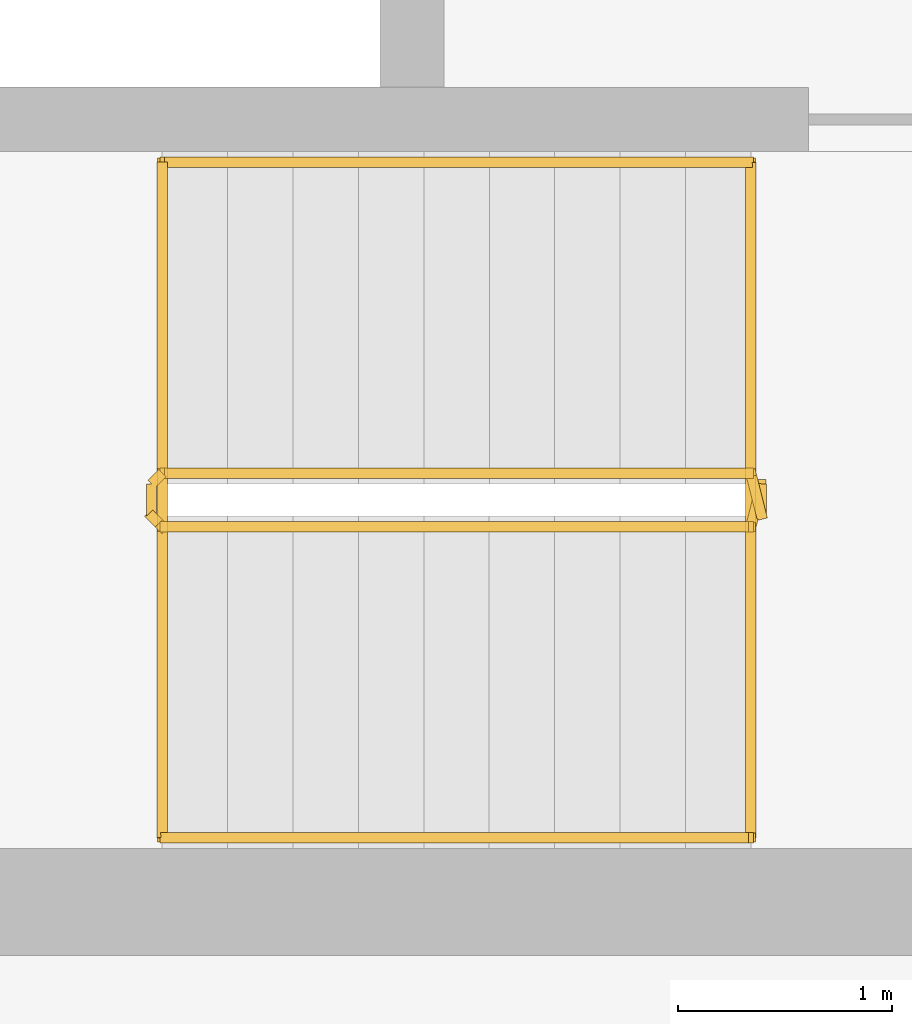
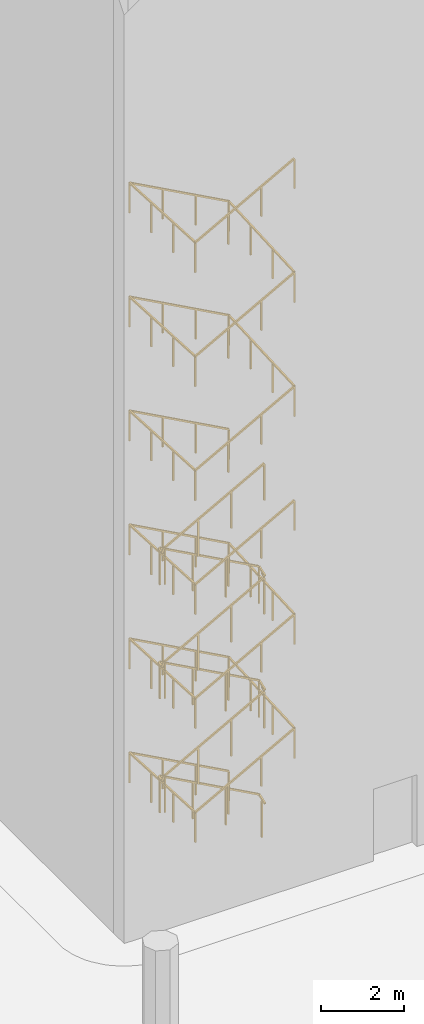
# One storey, part 18 of 26: 3 railings.
"""IFC4 building model written with IfcOpenShell, lengths in metres."""

from ifc_helpers import new_model, si_unit, direction, frame, origin, origin_2d, place, context, subcontext, project, spatial, rectangle, extrude, material, type_object, element, save


model = new_model("IFC4")

# Units and contexts
model_context = context("Model", 3, precision=1e-05, world=origin(), true_north=direction((0.0, 1.0)))
body_context = subcontext(model_context, "Body", "Model", "MODEL_VIEW")
ifc_project = project(units=[si_unit("LENGTHUNIT", "METRE"), si_unit("AREAUNIT", "SQUARE_METRE"), si_unit("VOLUMEUNIT", "CUBIC_METRE"), si_unit("PLANEANGLEUNIT", "RADIAN"), si_unit("MASSUNIT", "GRAM", prefix="KILO")], contexts=[model_context])

# Site, building, storey
site_placement = place(None, origin())
site = spatial("IfcSite", under=ifc_project, at=site_placement, CompositionType="ELEMENT")
building_placement = place(site_placement, origin())
building = spatial("IfcBuilding", under=site, at=building_placement, Name="Noorbagh Ring Tower", CompositionType="ELEMENT")
storey_placement = place(building_placement, frame((0.0, 0.0, 203.5)))
storey = spatial("IfcBuildingStorey", under=building, at=storey_placement, Name="L47", CompositionType="ELEMENT", Elevation=203.5)

# Railings
ifc_material_1 = material(Name="Stainless steel", Category="steel")
railing_type_1 = type_object("IfcRailingType", Name="CORE-STAIR-GUARD", PredefinedType="GUARDRAIL", material=ifc_material_1)
railing_1_placement = place(storey_placement, frame((21.580078125, -6.300048828125, 0.0)))
element("IfcRailing", 1, at=railing_1_placement, inside=storey, type_object=railing_type_1, Name="L47 ST4 stair guard", PredefinedType="GUARDRAIL", context=body_context, shape_type="SweptSolid", body=[
    extrude(rectangle(XDim=0.048095703125, YDim=0.048095703125, at=origin_2d()), frame((0.0, 0.0, 1.076171875), z_axis=(0.0, -1.0, 0.0), x_axis=(1.0, 0.0, 0.0)), (0.0, 0.0, 1.0), 0.14990234375),
    extrude(rectangle(XDim=0.048095703125, YDim=0.048095703125, at=origin_2d()), frame((0.0, -0.14990234375, 1.076171875), z_axis=(-0.188775798145, 0.754182335027, 0.628945707965), x_axis=(-0.970072785993, -0.242814311512, 0.0)), (0.0, 0.0, 1.0), 0.26513671875),
    extrude(rectangle(XDim=0.048095703125, YDim=0.048095703125, at=origin_2d()), frame((-0.050048828125, 0.050048828125, 1.24267578125), z_axis=(-0.877537414544, 0.0, 0.479508171021), x_axis=(0.0, -1.0, 0.0)), (0.0, 0.0, 1.0), 3.128173828125),
    extrude(rectangle(XDim=0.048095703125, YDim=0.048095703125, at=origin_2d()), frame((-2.795166015625, 0.050048828125, 2.74267578125), z_axis=(-0.705375805398, -0.708833529934, 0.0), x_axis=(0.708833529934, -0.705375805398, 0.0)), (0.0, 0.0, 1.0), 0.070556640625),
    extrude(rectangle(XDim=0.048095703125, YDim=0.048095703125, at=origin_2d()), frame((-2.844970703125, 0.0, 2.74267578125), z_axis=(0.0, -1.0, 0.0), x_axis=(1.0, 0.0, 0.0)), (0.0, 0.0, 1.0), 0.14990234375),
    extrude(rectangle(XDim=0.048095703125, YDim=0.048095703125, at=origin_2d()), frame((-2.844970703125, -0.14990234375, 2.74267578125), z_axis=(0.275382897532, -0.276732813696, 0.920642824102), x_axis=(0.708833529934, 0.705375805398, 0.0)), (0.0, 0.0, 1.0), 0.180908203125),
    extrude(rectangle(XDim=0.048095703125, YDim=0.048095703125, at=origin_2d()), frame((-2.795166015625, -0.199951171875, 2.9091796875), z_axis=(0.877537414544, 0.0, 0.479508171021), x_axis=(0.0, 1.0, 0.0)), (0.0, 0.0, 1.0), 3.128173828125),
    extrude(rectangle(XDim=0.048095703125, YDim=0.048095703125, at=origin_2d()), frame((-0.050048828125, -0.199951171875, 4.4091796875), z_axis=(0.242814311512, 0.970072785993, 0.0), x_axis=(-0.970072785993, 0.242814311512, 0.0)), (0.0, 0.0, 1.0), 0.2060546875),
    extrude(rectangle(XDim=0.048095703125, YDim=0.048095703125, at=origin_2d()), frame((0.0, 0.0, 4.4091796875), z_axis=(0.0, -1.0, 0.0), x_axis=(1.0, 0.0, 0.0)), (0.0, 0.0, 1.0), 0.14990234375),
    extrude(rectangle(XDim=0.048095703125, YDim=0.048095703125, at=origin_2d()), frame((0.0, -0.14990234375, 4.4091796875), z_axis=(-0.188775798145, 0.754182335027, 0.628945707965), x_axis=(-0.970072785993, -0.242814311512, 0.0)), (0.0, 0.0, 1.0), 0.26513671875),
    extrude(rectangle(XDim=0.048095703125, YDim=0.048095703125, at=origin_2d()), frame((-0.050048828125, 0.050048828125, 4.576171875), z_axis=(-0.877537414544, 0.0, 0.479508171021), x_axis=(0.0, -1.0, 0.0)), (0.0, 0.0, 1.0), 3.128173828125),
    extrude(rectangle(XDim=0.048095703125, YDim=0.048095703125, at=origin_2d()), frame((-2.795166015625, 0.050048828125, 6.076171875), z_axis=(-0.705375805398, -0.708833529934, 0.0), x_axis=(0.708833529934, -0.705375805398, 0.0)), (0.0, 0.0, 1.0), 0.070556640625),
    extrude(rectangle(XDim=0.048095703125, YDim=0.048095703125, at=origin_2d()), frame((-2.844970703125, 0.0, 6.076171875), z_axis=(0.0, -1.0, 0.0), x_axis=(1.0, 0.0, 0.0)), (0.0, 0.0, 1.0), 0.14990234375),
    extrude(rectangle(XDim=0.048095703125, YDim=0.048095703125, at=origin_2d()), frame((-2.844970703125, -0.14990234375, 6.076171875), z_axis=(0.275041040955, -0.276389281352, 0.920848191041), x_axis=(0.708833529934, 0.705375805398, 0.0)), (0.0, 0.0, 1.0), 0.18115234375),
    extrude(rectangle(XDim=0.048095703125, YDim=0.048095703125, at=origin_2d()), frame((-2.795166015625, -0.199951171875, 6.24267578125), z_axis=(0.877537414544, 0.0, 0.479508171021), x_axis=(0.0, 1.0, 0.0)), (0.0, 0.0, 1.0), 3.128173828125),
    extrude(rectangle(XDim=0.048095703125, YDim=0.048095703125, at=origin_2d()), frame((-0.050048828125, -0.199951171875, 7.74267578125), z_axis=(0.242814311512, 0.970072785993, 0.0), x_axis=(-0.970072785993, 0.242814311512, 0.0)), (0.0, 0.0, 1.0), 0.2060546875),
    extrude(rectangle(XDim=0.048095703125, YDim=0.048095703125, at=origin_2d()), frame((0.0, 0.0, 7.74267578125), z_axis=(0.0, -1.0, 0.0), x_axis=(1.0, 0.0, 0.0)), (0.0, 0.0, 1.0), 0.14990234375),
    extrude(rectangle(XDim=0.048095703125, YDim=0.048095703125, at=origin_2d()), frame((0.0, -0.14990234375, 7.74267578125), z_axis=(-0.188885146209, 0.754619193878, 0.628388632753), x_axis=(-0.970072785993, -0.242814311512, 0.0)), (0.0, 0.0, 1.0), 0.264892578125),
    extrude(rectangle(XDim=0.048095703125, YDim=0.048095703125, at=origin_2d()), frame((-0.050048828125, 0.050048828125, 7.9091796875), z_axis=(-0.877537414544, 0.0, 0.479508171021), x_axis=(0.0, -1.0, 0.0)), (0.0, 0.0, 1.0), 3.128173828125),
    extrude(rectangle(XDim=0.048095703125, YDim=0.048095703125, at=origin_2d()), frame((-2.795166015625, 0.050048828125, 9.4091796875), z_axis=(-0.705375805398, -0.708833529934, 0.0), x_axis=(0.708833529934, -0.705375805398, 0.0)), (0.0, 0.0, 1.0), 0.070556640625),
    extrude(rectangle(XDim=0.048095703125, YDim=0.048095703125, at=origin_2d()), frame((-2.844970703125, 0.0, 9.4091796875), z_axis=(0.0, -1.0, 0.0), x_axis=(1.0, 0.0, 0.0)), (0.0, 0.0, 1.0), 0.14990234375),
    extrude(rectangle(XDim=0.048095703125, YDim=0.048095703125, at=origin_2d()), frame((-2.844970703125, -0.14990234375, 9.4091796875), z_axis=(0.275041040955, -0.276389281352, 0.920848191041), x_axis=(0.708833529934, 0.705375805398, 0.0)), (0.0, 0.0, 1.0), 0.18115234375),
    extrude(rectangle(XDim=0.048095703125, YDim=0.048095703125, at=origin_2d()), frame((-2.795166015625, -0.199951171875, 9.576171875), z_axis=(0.877537414544, 0.0, 0.479508171021), x_axis=(0.0, 1.0, 0.0)), (0.0, 0.0, 1.0), 3.128173828125),
    extrude(rectangle(XDim=0.0419921875, YDim=0.0419921875, at=origin_2d()), origin(), (0.0, 0.0, 1.0), 1.052001953125),
    extrude(rectangle(XDim=0.0419921875, YDim=0.0419921875, at=origin_2d()), frame((-0.965087890625, 0.050048828125, 0.666748046875)), (0.0, 0.0, 1.0), 1.052001953125),
    extrude(rectangle(XDim=0.0419921875, YDim=0.0419921875, at=origin_2d()), frame((-1.880126953125, 0.050048828125, 1.166748046875)), (0.0, 0.0, 1.0), 1.052001953125),
    extrude(rectangle(XDim=0.0419921875, YDim=0.0419921875, at=origin_2d()), frame((-2.795166015625, 0.050048828125, 1.666748046875)), (0.0, 0.0, 1.0), 1.052001953125),
    extrude(rectangle(XDim=0.0419921875, YDim=0.0419921875, at=origin_2d()), frame((-2.795166015625, -0.199951171875, 1.833251953125)), (0.0, 0.0, 1.0), 1.052001953125),
    extrude(rectangle(XDim=0.0419921875, YDim=0.0419921875, at=origin_2d()), frame((-1.880126953125, -0.199951171875, 2.333251953125)), (0.0, 0.0, 1.0), 1.052001953125),
    extrude(rectangle(XDim=0.0419921875, YDim=0.0419921875, at=origin_2d()), frame((-0.965087890625, -0.199951171875, 2.833251953125)), (0.0, 0.0, 1.0), 1.052001953125),
    extrude(rectangle(XDim=0.0419921875, YDim=0.0419921875, at=origin_2d()), frame((-0.050048828125, -0.199951171875, 3.333251953125)), (0.0, 0.0, 1.0), 1.052001953125),
    extrude(rectangle(XDim=0.0419921875, YDim=0.0419921875, at=origin_2d()), frame((-0.050048828125, 0.050048828125, 3.5)), (0.0, 0.0, 1.0), 1.052001953125),
    extrude(rectangle(XDim=0.0419921875, YDim=0.0419921875, at=origin_2d()), frame((-0.965087890625, 0.050048828125, 4.0)), (0.0, 0.0, 1.0), 1.052001953125),
    extrude(rectangle(XDim=0.0419921875, YDim=0.0419921875, at=origin_2d()), frame((-1.880126953125, 0.050048828125, 4.5)), (0.0, 0.0, 1.0), 1.052001953125),
    extrude(rectangle(XDim=0.0419921875, YDim=0.0419921875, at=origin_2d()), frame((-2.795166015625, 0.050048828125, 5.0)), (0.0, 0.0, 1.0), 1.052001953125),
    extrude(rectangle(XDim=0.0419921875, YDim=0.0419921875, at=origin_2d()), frame((-2.795166015625, -0.199951171875, 5.166748046875)), (0.0, 0.0, 1.0), 1.052001953125),
    extrude(rectangle(XDim=0.0419921875, YDim=0.0419921875, at=origin_2d()), frame((-1.880126953125, -0.199951171875, 5.666748046875)), (0.0, 0.0, 1.0), 1.052001953125),
    extrude(rectangle(XDim=0.0419921875, YDim=0.0419921875, at=origin_2d()), frame((-0.965087890625, -0.199951171875, 6.166748046875)), (0.0, 0.0, 1.0), 1.052001953125),
    extrude(rectangle(XDim=0.0419921875, YDim=0.0419921875, at=origin_2d()), frame((-0.050048828125, -0.199951171875, 6.666748046875)), (0.0, 0.0, 1.0), 1.052001953125),
    extrude(rectangle(XDim=0.0419921875, YDim=0.0419921875, at=origin_2d()), frame((-0.050048828125, 0.050048828125, 6.833251953125)), (0.0, 0.0, 1.0), 1.052001953125),
    extrude(rectangle(XDim=0.0419921875, YDim=0.0419921875, at=origin_2d()), frame((-0.965087890625, 0.050048828125, 7.333251953125)), (0.0, 0.0, 1.0), 1.052001953125),
    extrude(rectangle(XDim=0.0419921875, YDim=0.0419921875, at=origin_2d()), frame((-1.880126953125, 0.050048828125, 7.833251953125)), (0.0, 0.0, 1.0), 1.052001953125),
    extrude(rectangle(XDim=0.0419921875, YDim=0.0419921875, at=origin_2d()), frame((-2.795166015625, 0.050048828125, 8.333251953125)), (0.0, 0.0, 1.0), 1.052001953125),
    extrude(rectangle(XDim=0.0419921875, YDim=0.0419921875, at=origin_2d()), frame((-2.795166015625, -0.199951171875, 8.5)), (0.0, 0.0, 1.0), 1.052001953125),
    extrude(rectangle(XDim=0.0419921875, YDim=0.0419921875, at=origin_2d()), frame((-1.880126953125, -0.199951171875, 9.0)), (0.0, 0.0, 1.0), 1.052001953125),
    extrude(rectangle(XDim=0.0419921875, YDim=0.0419921875, at=origin_2d()), frame((-0.965087890625, -0.199951171875, 9.5)), (0.0, 0.0, 1.0), 1.052001953125),
    extrude(rectangle(XDim=0.0419921875, YDim=0.0419921875, at=origin_2d()), frame((-0.050048828125, -0.199951171875, 10.0)), (0.0, 0.0, 1.0), 1.052001953125),
])
ifc_material_2 = material(Name="Stainless steel", Category="steel")
railing_type_2 = type_object("IfcRailingType", Name="CORE-STAIR-HANDRAIL", PredefinedType="HANDRAIL", material=ifc_material_2)
railing_2_placement = place(storey_placement, frame((21.530029296875, -4.800048828125, 0.166748046875)))
element("IfcRailing", 2, at=railing_2_placement, inside=storey, type_object=railing_type_2, Name="L47 ST4 stair handrail", PredefinedType="HANDRAIL", context=body_context, shape_type="SweptSolid", body=[
    extrude(rectangle(XDim=0.048095703125, YDim=0.048095703125, at=origin_2d()), frame((0.0, 0.0, 0.8759765625), z_axis=(-0.877537414544, 0.0, 0.479508171021), x_axis=(0.0, -1.0, 0.0)), (0.0, 0.0, 1.0), 3.128173828125),
    extrude(rectangle(XDim=0.048095703125, YDim=0.048095703125, at=origin_2d()), frame((-2.7451171875, 0.0, 2.3759765625), z_axis=(0.0, -0.998605830047, 0.052786325848), x_axis=(1.0, 0.0, 0.0)), (0.0, 0.0, 1.0), 3.154296875),
    extrude(rectangle(XDim=0.048095703125, YDim=0.048095703125, at=origin_2d()), frame((-2.7451171875, -3.14990234375, 2.54248046875), z_axis=(0.877537414544, 0.0, 0.479508171021), x_axis=(0.0, 1.0, 0.0)), (0.0, 0.0, 1.0), 3.128173828125),
    extrude(rectangle(XDim=0.048095703125, YDim=0.048095703125, at=origin_2d()), frame((0.0, -3.14990234375, 4.04248046875), z_axis=(0.0, 0.998601747152, 0.052863509014), x_axis=(-1.0, 0.0, 0.0)), (0.0, 0.0, 1.0), 3.154296875),
    extrude(rectangle(XDim=0.048095703125, YDim=0.048095703125, at=origin_2d()), frame((0.0, 0.0, 4.208984375), z_axis=(-0.877537414544, 0.0, 0.479508171021), x_axis=(0.0, -1.0, 0.0)), (0.0, 0.0, 1.0), 3.128173828125),
    extrude(rectangle(XDim=0.048095703125, YDim=0.048095703125, at=origin_2d()), frame((-2.7451171875, 0.0, 5.708984375), z_axis=(0.0, -0.998601747152, 0.052863509014), x_axis=(1.0, 0.0, 0.0)), (0.0, 0.0, 1.0), 3.154296875),
    extrude(rectangle(XDim=0.048095703125, YDim=0.048095703125, at=origin_2d()), frame((-2.7451171875, -3.14990234375, 5.8759765625), z_axis=(0.877537414544, 0.0, 0.479508171021), x_axis=(0.0, 1.0, 0.0)), (0.0, 0.0, 1.0), 3.128173828125),
    extrude(rectangle(XDim=0.048095703125, YDim=0.048095703125, at=origin_2d()), frame((0.0, -3.14990234375, 7.3759765625), z_axis=(0.0, 0.998605830047, 0.052786325848), x_axis=(-1.0, 0.0, 0.0)), (0.0, 0.0, 1.0), 3.154296875),
    extrude(rectangle(XDim=0.048095703125, YDim=0.048095703125, at=origin_2d()), frame((0.0, 0.0, 7.54248046875), z_axis=(-0.877537414544, 0.0, 0.479508171021), x_axis=(0.0, -1.0, 0.0)), (0.0, 0.0, 1.0), 3.128173828125),
    extrude(rectangle(XDim=0.048095703125, YDim=0.048095703125, at=origin_2d()), frame((-2.7451171875, 0.0, 9.04248046875), z_axis=(0.0, -0.998601747152, 0.052863509014), x_axis=(1.0, 0.0, 0.0)), (0.0, 0.0, 1.0), 3.154296875),
    extrude(rectangle(XDim=0.048095703125, YDim=0.048095703125, at=origin_2d()), frame((-2.7451171875, -3.14990234375, 9.208984375), z_axis=(0.877537414544, 0.0, 0.479508171021), x_axis=(0.0, 1.0, 0.0)), (0.0, 0.0, 1.0), 3.128173828125),
    extrude(rectangle(XDim=0.0419921875, YDim=0.0419921875, at=origin_2d()), origin(), (0.0, 0.0, 1.0), 0.851806640625),
    extrude(rectangle(XDim=0.0419921875, YDim=0.0419921875, at=origin_2d()), frame((-0.9150390625, 0.0, 0.5)), (0.0, 0.0, 1.0), 0.851806640625),
    extrude(rectangle(XDim=0.0419921875, YDim=0.0419921875, at=origin_2d()), frame((-1.830078125, 0.0, 1.0)), (0.0, 0.0, 1.0), 0.851806640625),
    extrude(rectangle(XDim=0.0419921875, YDim=0.0419921875, at=origin_2d()), frame((-2.7451171875, 0.0, 1.5)), (0.0, 0.0, 1.0), 0.851806640625),
    extrude(rectangle(XDim=0.0419921875, YDim=0.0419921875, at=origin_2d()), frame((-2.7451171875, -1.050048828125, 1.555419921875)), (0.0, 0.0, 1.0), 0.851806640625),
    extrude(rectangle(XDim=0.0419921875, YDim=0.0419921875, at=origin_2d()), frame((-2.7451171875, -2.099853515625, 1.611083984375)), (0.0, 0.0, 1.0), 0.851806640625),
    extrude(rectangle(XDim=0.0419921875, YDim=0.0419921875, at=origin_2d()), frame((-2.7451171875, -3.14990234375, 1.66650390625)), (0.0, 0.0, 1.0), 0.851806640625),
    extrude(rectangle(XDim=0.0419921875, YDim=0.0419921875, at=origin_2d()), frame((-1.830078125, -3.14990234375, 2.16650390625)), (0.0, 0.0, 1.0), 0.851806640625),
    extrude(rectangle(XDim=0.0419921875, YDim=0.0419921875, at=origin_2d()), frame((-0.9150390625, -3.14990234375, 2.66650390625)), (0.0, 0.0, 1.0), 0.851806640625),
    extrude(rectangle(XDim=0.0419921875, YDim=0.0419921875, at=origin_2d()), frame((0.0, -3.14990234375, 3.16650390625)), (0.0, 0.0, 1.0), 0.851806640625),
    extrude(rectangle(XDim=0.0419921875, YDim=0.0419921875, at=origin_2d()), frame((0.0, -2.099853515625, 3.22216796875)), (0.0, 0.0, 1.0), 0.851806640625),
    extrude(rectangle(XDim=0.0419921875, YDim=0.0419921875, at=origin_2d()), frame((0.0, -1.050048828125, 3.277587890625)), (0.0, 0.0, 1.0), 0.851806640625),
    extrude(rectangle(XDim=0.0419921875, YDim=0.0419921875, at=origin_2d()), frame((0.0, 0.0, 3.333251953125)), (0.0, 0.0, 1.0), 0.851806640625),
    extrude(rectangle(XDim=0.0419921875, YDim=0.0419921875, at=origin_2d()), frame((-0.9150390625, 0.0, 3.833251953125)), (0.0, 0.0, 1.0), 0.851806640625),
    extrude(rectangle(XDim=0.0419921875, YDim=0.0419921875, at=origin_2d()), frame((-1.830078125, 0.0, 4.333251953125)), (0.0, 0.0, 1.0), 0.851806640625),
    extrude(rectangle(XDim=0.0419921875, YDim=0.0419921875, at=origin_2d()), frame((-2.7451171875, 0.0, 4.833251953125)), (0.0, 0.0, 1.0), 0.851806640625),
    extrude(rectangle(XDim=0.0419921875, YDim=0.0419921875, at=origin_2d()), frame((-2.7451171875, -1.050048828125, 4.888916015625)), (0.0, 0.0, 1.0), 0.851806640625),
    extrude(rectangle(XDim=0.0419921875, YDim=0.0419921875, at=origin_2d()), frame((-2.7451171875, -2.099853515625, 4.9443359375)), (0.0, 0.0, 1.0), 0.851806640625),
    extrude(rectangle(XDim=0.0419921875, YDim=0.0419921875, at=origin_2d()), frame((-2.7451171875, -3.14990234375, 5.0)), (0.0, 0.0, 1.0), 0.851806640625),
    extrude(rectangle(XDim=0.0419921875, YDim=0.0419921875, at=origin_2d()), frame((-1.830078125, -3.14990234375, 5.5)), (0.0, 0.0, 1.0), 0.851806640625),
    extrude(rectangle(XDim=0.0419921875, YDim=0.0419921875, at=origin_2d()), frame((-0.9150390625, -3.14990234375, 6.0)), (0.0, 0.0, 1.0), 0.851806640625),
    extrude(rectangle(XDim=0.0419921875, YDim=0.0419921875, at=origin_2d()), frame((0.0, -3.14990234375, 6.5)), (0.0, 0.0, 1.0), 0.851806640625),
    extrude(rectangle(XDim=0.0419921875, YDim=0.0419921875, at=origin_2d()), frame((0.0, -2.099853515625, 6.555419921875)), (0.0, 0.0, 1.0), 0.851806640625),
    extrude(rectangle(XDim=0.0419921875, YDim=0.0419921875, at=origin_2d()), frame((0.0, -1.050048828125, 6.611083984375)), (0.0, 0.0, 1.0), 0.851806640625),
    extrude(rectangle(XDim=0.0419921875, YDim=0.0419921875, at=origin_2d()), frame((0.0, 0.0, 6.66650390625)), (0.0, 0.0, 1.0), 0.851806640625),
    extrude(rectangle(XDim=0.0419921875, YDim=0.0419921875, at=origin_2d()), frame((-0.9150390625, 0.0, 7.16650390625)), (0.0, 0.0, 1.0), 0.851806640625),
    extrude(rectangle(XDim=0.0419921875, YDim=0.0419921875, at=origin_2d()), frame((-1.830078125, 0.0, 7.66650390625)), (0.0, 0.0, 1.0), 0.851806640625),
    extrude(rectangle(XDim=0.0419921875, YDim=0.0419921875, at=origin_2d()), frame((-2.7451171875, 0.0, 8.16650390625)), (0.0, 0.0, 1.0), 0.851806640625),
    extrude(rectangle(XDim=0.0419921875, YDim=0.0419921875, at=origin_2d()), frame((-2.7451171875, -1.050048828125, 8.22216796875)), (0.0, 0.0, 1.0), 0.851806640625),
    extrude(rectangle(XDim=0.0419921875, YDim=0.0419921875, at=origin_2d()), frame((-2.7451171875, -2.099853515625, 8.277587890625)), (0.0, 0.0, 1.0), 0.851806640625),
    extrude(rectangle(XDim=0.0419921875, YDim=0.0419921875, at=origin_2d()), frame((-2.7451171875, -3.14990234375, 8.333251953125)), (0.0, 0.0, 1.0), 0.851806640625),
    extrude(rectangle(XDim=0.0419921875, YDim=0.0419921875, at=origin_2d()), frame((-1.830078125, -3.14990234375, 8.833251953125)), (0.0, 0.0, 1.0), 0.851806640625),
    extrude(rectangle(XDim=0.0419921875, YDim=0.0419921875, at=origin_2d()), frame((-0.9150390625, -3.14990234375, 9.333251953125)), (0.0, 0.0, 1.0), 0.851806640625),
    extrude(rectangle(XDim=0.0419921875, YDim=0.0419921875, at=origin_2d()), frame((0.0, -3.14990234375, 9.833251953125)), (0.0, 0.0, 1.0), 0.851806640625),
])
railing_3_placement = place(storey_placement, frame((21.530029296875, -4.800048828125, 10.166748046875)))
element("IfcRailing", 3, at=railing_3_placement, inside=storey, type_object=railing_type_2, Name="L47b ST4 stair handrail", PredefinedType="HANDRAIL", context=body_context, shape_type="SweptSolid", body=[
    extrude(rectangle(XDim=0.048095703125, YDim=0.048095703125, at=origin_2d()), frame((0.0, 0.0, 0.8759765625), z_axis=(-0.877537414544, 0.0, 0.479508171021), x_axis=(0.0, -1.0, 0.0)), (0.0, 0.0, 1.0), 3.128173828125),
    extrude(rectangle(XDim=0.048095703125, YDim=0.048095703125, at=origin_2d()), frame((-2.7451171875, 0.0, 2.3759765625), z_axis=(0.0, -0.998605830047, 0.052786325848), x_axis=(1.0, 0.0, 0.0)), (0.0, 0.0, 1.0), 3.154296875),
    extrude(rectangle(XDim=0.048095703125, YDim=0.048095703125, at=origin_2d()), frame((-2.7451171875, -3.14990234375, 2.54248046875), z_axis=(0.877537414544, 0.0, 0.479508171021), x_axis=(0.0, 1.0, 0.0)), (0.0, 0.0, 1.0), 3.128173828125),
    extrude(rectangle(XDim=0.048095703125, YDim=0.048095703125, at=origin_2d()), frame((0.0, -3.14990234375, 4.04248046875), z_axis=(0.0, 0.998601747152, 0.052863509014), x_axis=(-1.0, 0.0, 0.0)), (0.0, 0.0, 1.0), 3.154296875),
    extrude(rectangle(XDim=0.048095703125, YDim=0.048095703125, at=origin_2d()), frame((0.0, 0.0, 4.208984375), z_axis=(-0.877537414544, 0.0, 0.479508171021), x_axis=(0.0, -1.0, 0.0)), (0.0, 0.0, 1.0), 3.128173828125),
    extrude(rectangle(XDim=0.048095703125, YDim=0.048095703125, at=origin_2d()), frame((-2.7451171875, 0.0, 5.708984375), z_axis=(0.0, -0.998601747152, 0.052863509014), x_axis=(1.0, 0.0, 0.0)), (0.0, 0.0, 1.0), 3.154296875),
    extrude(rectangle(XDim=0.048095703125, YDim=0.048095703125, at=origin_2d()), frame((-2.7451171875, -3.14990234375, 5.8759765625), z_axis=(0.877537414544, 0.0, 0.479508171021), x_axis=(0.0, 1.0, 0.0)), (0.0, 0.0, 1.0), 3.128173828125),
    extrude(rectangle(XDim=0.048095703125, YDim=0.048095703125, at=origin_2d()), frame((0.0, -3.14990234375, 7.3759765625), z_axis=(0.0, 0.998605830047, 0.052786325848), x_axis=(-1.0, 0.0, 0.0)), (0.0, 0.0, 1.0), 3.154296875),
    extrude(rectangle(XDim=0.048095703125, YDim=0.048095703125, at=origin_2d()), frame((0.0, 0.0, 7.54248046875), z_axis=(-0.877537414544, 0.0, 0.479508171021), x_axis=(0.0, -1.0, 0.0)), (0.0, 0.0, 1.0), 3.128173828125),
    extrude(rectangle(XDim=0.048095703125, YDim=0.048095703125, at=origin_2d()), frame((-2.7451171875, 0.0, 9.04248046875), z_axis=(0.0, -0.998601747152, 0.052863509014), x_axis=(1.0, 0.0, 0.0)), (0.0, 0.0, 1.0), 3.154296875),
    extrude(rectangle(XDim=0.048095703125, YDim=0.048095703125, at=origin_2d()), frame((-2.7451171875, -3.14990234375, 9.208984375), z_axis=(0.877537414544, 0.0, 0.479508171021), x_axis=(0.0, 1.0, 0.0)), (0.0, 0.0, 1.0), 3.128173828125),
    extrude(rectangle(XDim=0.0419921875, YDim=0.0419921875, at=origin_2d()), origin(), (0.0, 0.0, 1.0), 0.851806640625),
    extrude(rectangle(XDim=0.0419921875, YDim=0.0419921875, at=origin_2d()), frame((-0.9150390625, 0.0, 0.5)), (0.0, 0.0, 1.0), 0.851806640625),
    extrude(rectangle(XDim=0.0419921875, YDim=0.0419921875, at=origin_2d()), frame((-1.830078125, 0.0, 1.0)), (0.0, 0.0, 1.0), 0.851806640625),
    extrude(rectangle(XDim=0.0419921875, YDim=0.0419921875, at=origin_2d()), frame((-2.7451171875, 0.0, 1.5)), (0.0, 0.0, 1.0), 0.851806640625),
    extrude(rectangle(XDim=0.0419921875, YDim=0.0419921875, at=origin_2d()), frame((-2.7451171875, -1.050048828125, 1.555419921875)), (0.0, 0.0, 1.0), 0.851806640625),
    extrude(rectangle(XDim=0.0419921875, YDim=0.0419921875, at=origin_2d()), frame((-2.7451171875, -2.099853515625, 1.611083984375)), (0.0, 0.0, 1.0), 0.851806640625),
    extrude(rectangle(XDim=0.0419921875, YDim=0.0419921875, at=origin_2d()), frame((-2.7451171875, -3.14990234375, 1.66650390625)), (0.0, 0.0, 1.0), 0.851806640625),
    extrude(rectangle(XDim=0.0419921875, YDim=0.0419921875, at=origin_2d()), frame((-1.830078125, -3.14990234375, 2.16650390625)), (0.0, 0.0, 1.0), 0.851806640625),
    extrude(rectangle(XDim=0.0419921875, YDim=0.0419921875, at=origin_2d()), frame((-0.9150390625, -3.14990234375, 2.66650390625)), (0.0, 0.0, 1.0), 0.851806640625),
    extrude(rectangle(XDim=0.0419921875, YDim=0.0419921875, at=origin_2d()), frame((0.0, -3.14990234375, 3.16650390625)), (0.0, 0.0, 1.0), 0.851806640625),
    extrude(rectangle(XDim=0.0419921875, YDim=0.0419921875, at=origin_2d()), frame((0.0, -2.099853515625, 3.22216796875)), (0.0, 0.0, 1.0), 0.851806640625),
    extrude(rectangle(XDim=0.0419921875, YDim=0.0419921875, at=origin_2d()), frame((0.0, -1.050048828125, 3.277587890625)), (0.0, 0.0, 1.0), 0.851806640625),
    extrude(rectangle(XDim=0.0419921875, YDim=0.0419921875, at=origin_2d()), frame((0.0, 0.0, 3.333251953125)), (0.0, 0.0, 1.0), 0.851806640625),
    extrude(rectangle(XDim=0.0419921875, YDim=0.0419921875, at=origin_2d()), frame((-0.9150390625, 0.0, 3.833251953125)), (0.0, 0.0, 1.0), 0.851806640625),
    extrude(rectangle(XDim=0.0419921875, YDim=0.0419921875, at=origin_2d()), frame((-1.830078125, 0.0, 4.333251953125)), (0.0, 0.0, 1.0), 0.851806640625),
    extrude(rectangle(XDim=0.0419921875, YDim=0.0419921875, at=origin_2d()), frame((-2.7451171875, 0.0, 4.833251953125)), (0.0, 0.0, 1.0), 0.851806640625),
    extrude(rectangle(XDim=0.0419921875, YDim=0.0419921875, at=origin_2d()), frame((-2.7451171875, -1.050048828125, 4.888916015625)), (0.0, 0.0, 1.0), 0.851806640625),
    extrude(rectangle(XDim=0.0419921875, YDim=0.0419921875, at=origin_2d()), frame((-2.7451171875, -2.099853515625, 4.9443359375)), (0.0, 0.0, 1.0), 0.851806640625),
    extrude(rectangle(XDim=0.0419921875, YDim=0.0419921875, at=origin_2d()), frame((-2.7451171875, -3.14990234375, 5.0)), (0.0, 0.0, 1.0), 0.851806640625),
    extrude(rectangle(XDim=0.0419921875, YDim=0.0419921875, at=origin_2d()), frame((-1.830078125, -3.14990234375, 5.5)), (0.0, 0.0, 1.0), 0.851806640625),
    extrude(rectangle(XDim=0.0419921875, YDim=0.0419921875, at=origin_2d()), frame((-0.9150390625, -3.14990234375, 6.0)), (0.0, 0.0, 1.0), 0.851806640625),
    extrude(rectangle(XDim=0.0419921875, YDim=0.0419921875, at=origin_2d()), frame((0.0, -3.14990234375, 6.5)), (0.0, 0.0, 1.0), 0.851806640625),
    extrude(rectangle(XDim=0.0419921875, YDim=0.0419921875, at=origin_2d()), frame((0.0, -2.099853515625, 6.555419921875)), (0.0, 0.0, 1.0), 0.851806640625),
    extrude(rectangle(XDim=0.0419921875, YDim=0.0419921875, at=origin_2d()), frame((0.0, -1.050048828125, 6.611083984375)), (0.0, 0.0, 1.0), 0.851806640625),
    extrude(rectangle(XDim=0.0419921875, YDim=0.0419921875, at=origin_2d()), frame((0.0, 0.0, 6.66650390625)), (0.0, 0.0, 1.0), 0.851806640625),
    extrude(rectangle(XDim=0.0419921875, YDim=0.0419921875, at=origin_2d()), frame((-0.9150390625, 0.0, 7.16650390625)), (0.0, 0.0, 1.0), 0.851806640625),
    extrude(rectangle(XDim=0.0419921875, YDim=0.0419921875, at=origin_2d()), frame((-1.830078125, 0.0, 7.66650390625)), (0.0, 0.0, 1.0), 0.851806640625),
    extrude(rectangle(XDim=0.0419921875, YDim=0.0419921875, at=origin_2d()), frame((-2.7451171875, 0.0, 8.16650390625)), (0.0, 0.0, 1.0), 0.851806640625),
    extrude(rectangle(XDim=0.0419921875, YDim=0.0419921875, at=origin_2d()), frame((-2.7451171875, -1.050048828125, 8.22216796875)), (0.0, 0.0, 1.0), 0.851806640625),
    extrude(rectangle(XDim=0.0419921875, YDim=0.0419921875, at=origin_2d()), frame((-2.7451171875, -2.099853515625, 8.277587890625)), (0.0, 0.0, 1.0), 0.851806640625),
    extrude(rectangle(XDim=0.0419921875, YDim=0.0419921875, at=origin_2d()), frame((-2.7451171875, -3.14990234375, 8.333251953125)), (0.0, 0.0, 1.0), 0.851806640625),
    extrude(rectangle(XDim=0.0419921875, YDim=0.0419921875, at=origin_2d()), frame((-1.830078125, -3.14990234375, 8.833251953125)), (0.0, 0.0, 1.0), 0.851806640625),
    extrude(rectangle(XDim=0.0419921875, YDim=0.0419921875, at=origin_2d()), frame((-0.9150390625, -3.14990234375, 9.333251953125)), (0.0, 0.0, 1.0), 0.851806640625),
    extrude(rectangle(XDim=0.0419921875, YDim=0.0419921875, at=origin_2d()), frame((0.0, -3.14990234375, 9.833251953125)), (0.0, 0.0, 1.0), 0.851806640625),
])

save(model, "model.ifc")
